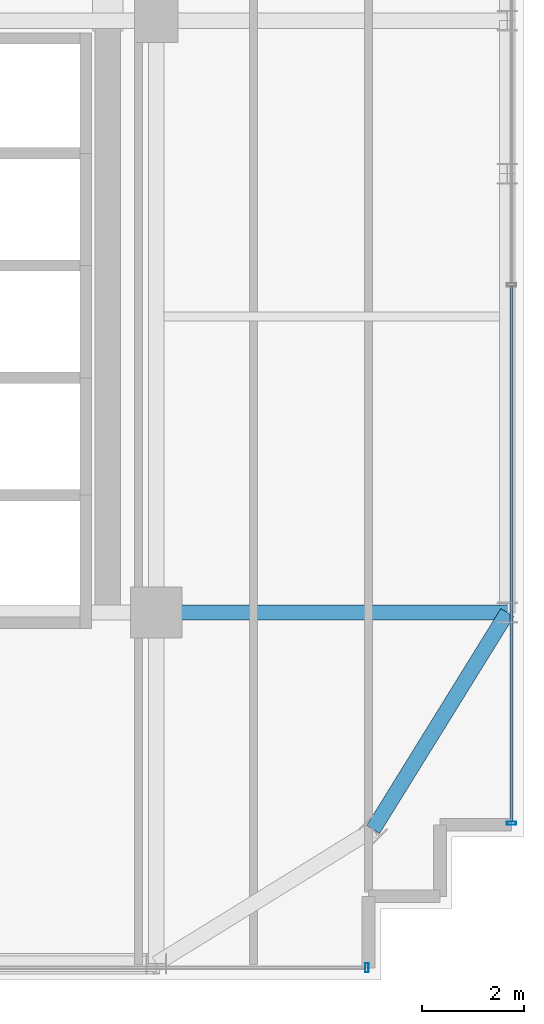
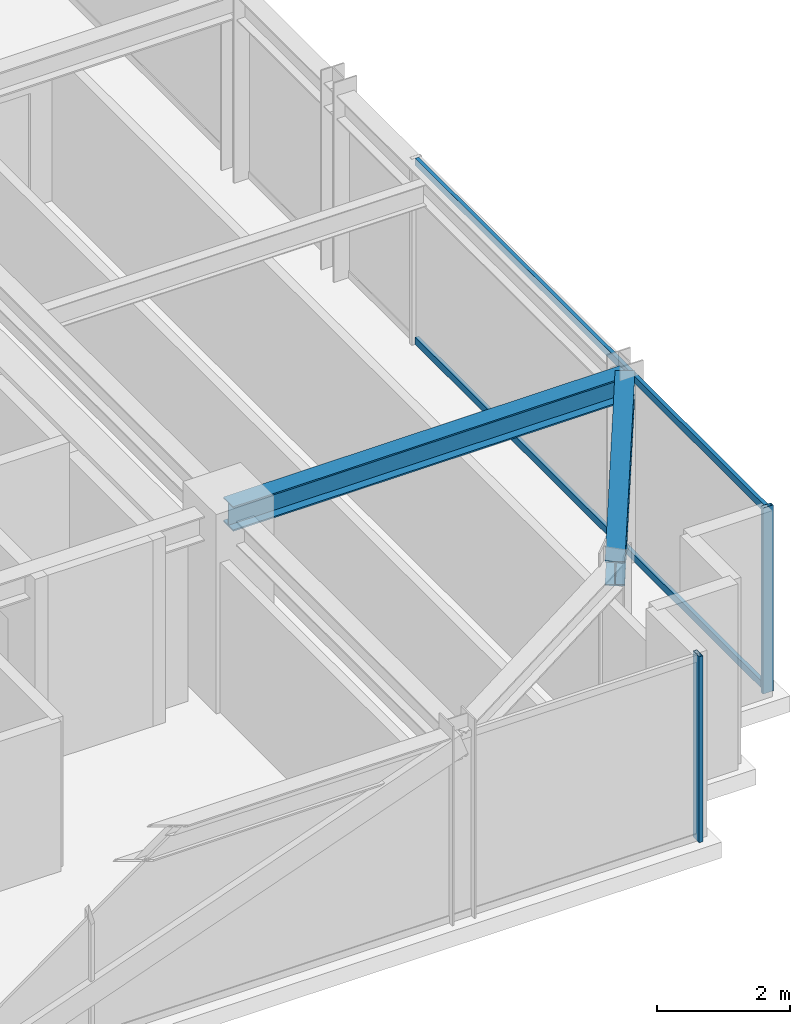
# One storey, part 14 of 36: 4 members, 2 beams, 2 elements without a shape of their own.
"""IFC4 building model written with IfcOpenShell, lengths in metres."""

from ifc_helpers import new_model, si_unit, direction, frame, origin, origin_2d, place, context, subcontext, project, spatial, hollow_rectangle, i_section, extrude, source, transform, mapped, material, material_profile, profile_set, type_object, element, aggregate, save


model = new_model("IFC4")

# Units and contexts
model_context = context("Model", 3, precision=1e-05, world=origin(), true_north=direction((0.0, 1.0)))
body_context = subcontext(model_context, "Body", "Model", "MODEL_VIEW")
ifc_project = project(units=[si_unit("LENGTHUNIT", "METRE"), si_unit("AREAUNIT", "SQUARE_METRE"), si_unit("VOLUMEUNIT", "CUBIC_METRE"), si_unit("PLANEANGLEUNIT", "RADIAN"), si_unit("MASSUNIT", "GRAM", prefix="KILO")], contexts=[model_context])

# Site, building, storey
site_placement = place(None, origin())
site = spatial("IfcSite", under=ifc_project, at=site_placement, CompositionType="ELEMENT")
building_placement = place(site_placement, origin())
building = spatial("IfcBuilding", under=site, at=building_placement, Name="Nahalor Promenade Grand Hotel", CompositionType="ELEMENT")
storey_placement = place(building_placement, frame((0.0, 0.0, 212.300048828125)))
storey = spatial("IfcBuildingStorey", under=building, at=storey_placement, Name="L54", CompositionType="ELEMENT", Elevation=212.300048828125)

# Beams
ifc_material_1 = material(Name="Steel S355JR", Category="steel")
ifc_material_profile_1 = material_profile(ifc_material_1, i_section(OverallWidth=0.3, OverallDepth=0.45, WebThickness=0.014, FlangeThickness=0.026, at=origin_2d()), Name="HEB 450")
ifc_profile_set_1 = profile_set([ifc_material_profile_1], Name="Steel S355JR")
beam_type_1 = type_object("IfcBeamType", Name="Beam-Spandrel-HEB450", PredefinedType="SPANDREL", material=ifc_profile_set_1)
shared_shape_1 = source(origin(), body_context, "Body", "SweptSolid", [
    extrude(i_section(OverallWidth=0.3, OverallDepth=0.45, WebThickness=0.014, FlangeThickness=0.026, at=origin_2d()), origin(), (0.0, 0.0, 1.0), 4.997802734375),
])
beam_1_placement = place(storey_placement, frame((21.25, -21.25, 3.18505859375), z_axis=(0.526199891161, 0.850360908404, 0.0), x_axis=(-0.850360908404, 0.526199891161, 0.0)))
element("IfcBeam", 1, at=beam_1_placement, inside=storey, type_object=beam_type_1, Name="BM-L54-SPC-SE-2", PredefinedType="SPANDREL", context=body_context, shape_type="MappedRepresentation", body=[
    mapped(shared_shape_1, transform((0.0, 0.0, 0.0), scale=1.0)),
])
ifc_material_profile_2 = material_profile(ifc_material_1, i_section(OverallWidth=0.3, OverallDepth=0.45, WebThickness=0.014, FlangeThickness=0.026, at=origin_2d()), Name="HEB 450")
ifc_profile_set_2 = profile_set([ifc_material_profile_2], Name="Steel S355JR")
beam_type_2 = type_object("IfcBeamType", Name="Beam-Girder-HEB450", PredefinedType="BEAM", material=ifc_profile_set_2)
shared_shape_2 = source(origin(), body_context, "Body", "SweptSolid", [
    extrude(i_section(OverallWidth=0.3, OverallDepth=0.45, WebThickness=0.014, FlangeThickness=0.026, at=origin_2d()), origin(), (0.0, 0.0, 1.0), 6.8798828125),
])
beam_2_placement = place(storey_placement, frame((17.0, -17.0, 3.18505859375), z_axis=(1.0, 0.0, 0.0), x_axis=(0.0, 1.0, 0.0)))
element("IfcBeam", 2, at=beam_2_placement, inside=storey, type_object=beam_type_2, Name="BM-L54-GX-0-6", PredefinedType="BEAM", context=body_context, shape_type="MappedRepresentation", body=[
    mapped(shared_shape_2, transform((0.0, 0.0, 0.0), scale=1.0)),
])

# Curtain wall, members
ifc_material_2 = material(Name="Anodised Bronze Aluminium EN AW-6063 T6", Category="aluminium")
curtain_wall_type = type_object("IfcCurtainWallType", Name="CW2 Typical Hotel Flush Bronze Unitised Curtain Wall", PredefinedType="USERDEFINED", material=ifc_material_2)
curtain_wall_1_placement = place(storey_placement, origin())
curtain_wall_1 = element("IfcCurtainWall", 3, at=curtain_wall_1_placement, inside=storey, type_object=curtain_wall_type, Name="L54 Curtain Wall CW-L54-E-1", ObjectType="UNITISED_CURTAIN_WALL", PredefinedType="USERDEFINED")
ifc_material_profile_3 = material_profile(ifc_material_2, hollow_rectangle(XDim=0.065, YDim=0.13, WallThickness=0.004, at=origin_2d()), Name="CWT 65x130x4")
ifc_profile_set_3 = profile_set([ifc_material_profile_3], Name="Anodised Bronze Aluminium EN AW-6063 T6")
member_type_1 = type_object("IfcMemberType", Name="CWT2 Typical Bronze Transom 65x130", PredefinedType="USERDEFINED", material=ifc_profile_set_3)
shared_shape_3 = source(origin(), body_context, "Body", "SweptSolid", [
    extrude(hollow_rectangle(XDim=0.065, YDim=0.13, WallThickness=0.004, at=origin_2d()), origin(), (0.0, 0.0, 1.0), 10.482421875),
])
member_1_placement = place(storey_placement, frame((23.9599609375, -21.094970703125, 0.06494140625), z_axis=(0.0, 1.0, 0.0), x_axis=(-1.0, 0.0, 0.0)))
member_1 = element("IfcMember", 4, at=member_1_placement, type_object=member_type_1, Name="CW-L54-E-1 Transom 0-0", ObjectType="TRANSOM", PredefinedType="USERDEFINED", context=body_context, shape_type="MappedRepresentation", body=[
    mapped(shared_shape_3, transform((0.0, 0.0, 0.0), scale=1.0)),
])
member_2_placement = place(storey_placement, frame((23.9599609375, -21.094970703125, 3.344970703125), z_axis=(0.0, 1.0, 0.0), x_axis=(-1.0, 0.0, 0.0)))
member_2 = element("IfcMember", 5, at=member_2_placement, type_object=member_type_1, Name="CW-L54-E-1 Transom 0-1", ObjectType="TRANSOM", PredefinedType="USERDEFINED", context=body_context, shape_type="MappedRepresentation", body=[
    mapped(shared_shape_3, transform((0.0, 0.0, 0.0), scale=1.0)),
])

# Curtain wall, member
curtain_wall_2_placement = place(storey_placement, origin())
curtain_wall_2 = element("IfcCurtainWall", 6, at=curtain_wall_2_placement, inside=storey, type_object=curtain_wall_type, Name="L54 Curtain Wall CW-L54-S-1", ObjectType="UNITISED_CURTAIN_WALL", PredefinedType="USERDEFINED")
ifc_material_profile_4 = material_profile(ifc_material_2, hollow_rectangle(XDim=0.065, YDim=0.18, WallThickness=0.004, at=origin_2d()), Name="CWM 65x180x4")
ifc_profile_set_4 = profile_set([ifc_material_profile_4], Name="Anodised Bronze Aluminium EN AW-6063 T6")
member_type_2 = type_object("IfcMemberType", Name="CWM2 Typical Bronze Mullion 65x180", PredefinedType="MULLION", material=ifc_profile_set_4)
shared_shape_4 = source(origin(), body_context, "Body", "SweptSolid", [
    extrude(hollow_rectangle(XDim=0.065, YDim=0.18, WallThickness=0.004, at=origin_2d()), origin(), (0.0, 0.0, 1.0), 3.409912109375),
])
member_3_placement = place(storey_placement, frame((21.12744140625, -23.9599609375, 0.0), z_axis=(0.0, 0.0, 1.0), x_axis=(1.0, 0.0, 0.0)))
member_3 = element("IfcMember", 7, at=member_3_placement, type_object=member_type_2, Name="CW-L54-S-1 Mullion 4", PredefinedType="MULLION", context=body_context, shape_type="MappedRepresentation", body=[
    mapped(shared_shape_4, transform((0.0, 0.0, 0.0), scale=1.0)),
])
aggregate(curtain_wall_2, [member_3])

# Member
member_4_placement = place(storey_placement, frame((23.9599609375, -21.12744140625, 0.0), z_axis=(0.0, 0.0, 1.0), x_axis=(0.0, 1.0, 0.0)))
member_4 = element("IfcMember", 8, at=member_4_placement, type_object=member_type_2, Name="CW-L54-E-1 Mullion 0", PredefinedType="MULLION", context=body_context, shape_type="MappedRepresentation", body=[
    mapped(shared_shape_4, transform((0.0, 0.0, 0.0), scale=1.0)),
])

aggregate(curtain_wall_1, [member_4, member_1, member_2])

save(model, "model.ifc")
